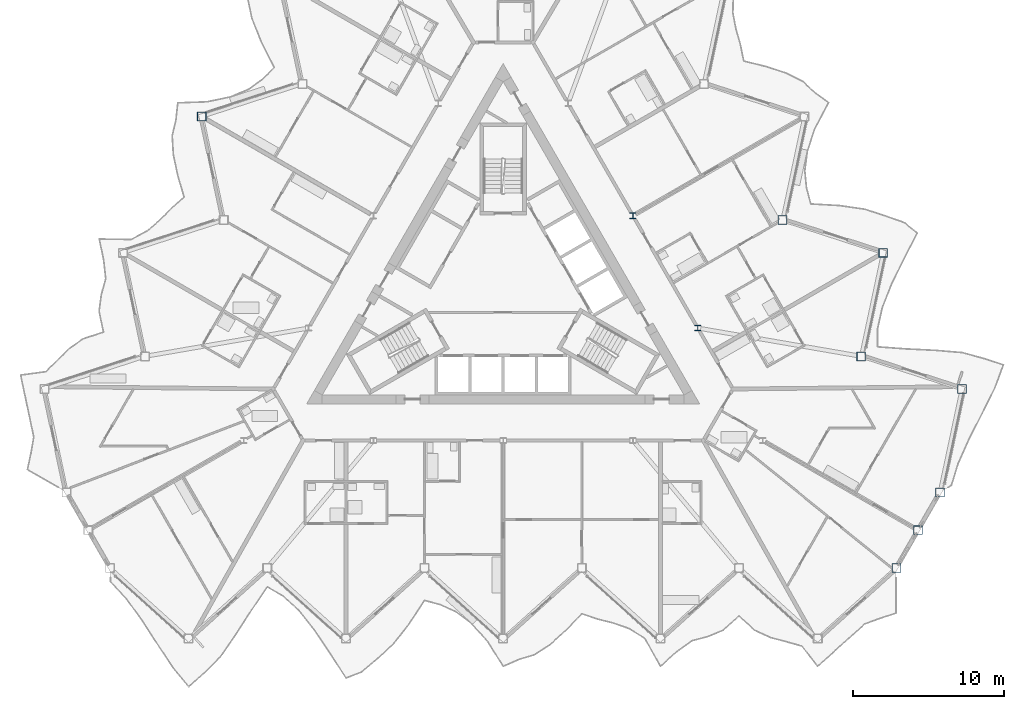
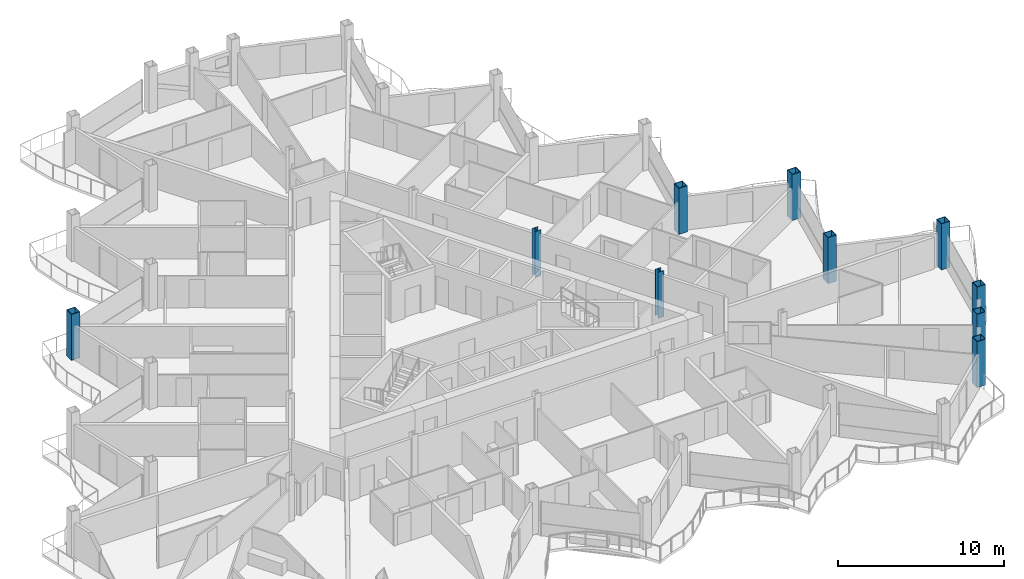
# One storey, part 2 of 27: 10 columns.
"""IFC4 building model written with IfcOpenShell, lengths in metres."""

import ifcopenshell
import ifcopenshell.guid

model = None  # the IFC model being written
_history = None  # IfcOwnerHistory: only IFC2X3 demands one
_inside = {}  # id of a spatial element -> (the spatial element, [elements in it])
_under = {}  # id of a project, library or spatial element -> (it, [spatial elements below it])
_declared = {}  # id of a project -> (the project, [libraries it declares])
_typed = {}  # id of a type object -> (the type object, [elements of that type])
_made_of = {}  # id of a material, layer set ... -> (it, [elements and type objects made of it])


def new_model(schema):
    """Start an empty IFC model of exactly this schema.

    Asked for "IFC4X3", IfcOpenShell would pick the latest addendum, in which some entities
    have other attributes; the version numbers below select the first issue.
    IFC2X3 requires an IfcOwnerHistory on every rooted entity: one is made here for all.
    """
    global model, _history
    if schema == "IFC4X3":
        model = ifcopenshell.file(schema_version=(4, 3, 0, 0))
    else:
        model = ifcopenshell.file(schema=schema)
    _inside.clear()
    _under.clear()
    _declared.clear()
    _typed.clear()
    _made_of.clear()
    _history = None
    if model.schema == "IFC2X3":
        org = make("IfcOrganization", Name="unknown")
        user = make(
            "IfcPersonAndOrganization",
            ThePerson=make("IfcPerson", FamilyName="unknown"),
            TheOrganization=org,
        )
        app = make(
            "IfcApplication",
            ApplicationDeveloper=org,
            Version="unknown",
            ApplicationFullName="unknown",
            ApplicationIdentifier="unknown",
        )
        _history = make(
            "IfcOwnerHistory",
            OwningUser=user,
            OwningApplication=app,
            ChangeAction="ADDED",
            CreationDate=0,
        )
    return model


def make(cls, **values):
    """One entity of the class cls with the attributes given. An attribute that is None is left unset."""
    return model.create_entity(
        cls, **{name: value for name, value in values.items() if value is not None}
    )


def rooted(cls, **values):
    """An entity with a GlobalId (a new one), such as an element, a storey or a relation."""
    return make(cls, GlobalId=ifcopenshell.guid.new(), OwnerHistory=_history, **values)


def si_unit(unit_type, name, prefix=None):
    """IfcSIUnit, for example si_unit("LENGTHUNIT", "METRE", prefix="MILLI")."""
    return make("IfcSIUnit", UnitType=unit_type, Prefix=prefix, Name=name)


def assignment(units):
    """IfcUnitAssignment: the units of a project."""
    return None if units is None else make("IfcUnitAssignment", Units=units)


def point(xyz):
    """IfcCartesianPoint."""
    return None if xyz is None else make("IfcCartesianPoint", Coordinates=xyz)


def direction(xyz):
    """IfcDirection."""
    return None if xyz is None else make("IfcDirection", DirectionRatios=xyz)


def frame(location, z_axis=None, x_axis=None):
    """IfcAxis2Placement3D, a coordinate frame: its origin and axes. An axis left out is left unset."""
    return make(
        "IfcAxis2Placement3D",
        Location=point(location),
        Axis=direction(z_axis),
        RefDirection=direction(x_axis),
    )


def frame_2d(location, x_axis=None):
    """IfcAxis2Placement2D, a coordinate frame in the plane: its origin and x axis."""
    return make(
        "IfcAxis2Placement2D", Location=point(location), RefDirection=direction(x_axis)
    )


def origin():
    """The frame at (0, 0, 0) with its axes left unset."""
    return frame((0.0, 0.0, 0.0))


def origin_2d():
    """The frame at (0, 0) in the plane with its x axis left unset."""
    return frame_2d((0.0, 0.0))


def place(relative_to, where):
    """IfcLocalPlacement: puts the frame where relative to a parent placement (None: the world)."""
    return make(
        "IfcLocalPlacement", PlacementRelTo=relative_to, RelativePlacement=where
    )


def context(
    kind, dimensions, precision=None, world=None, true_north=None, identifier=None
):
    """IfcGeometricRepresentationContext, for example the 3D "Model" context."""
    return make(
        "IfcGeometricRepresentationContext",
        ContextIdentifier=identifier,
        ContextType=kind,
        CoordinateSpaceDimension=dimensions,
        Precision=precision,
        WorldCoordinateSystem=world,
        TrueNorth=true_north,
    )


def subcontext(parent, identifier, kind, view, scale=None):
    """IfcGeometricRepresentationSubContext, for example "Body" below "Model"."""
    return make(
        "IfcGeometricRepresentationSubContext",
        ContextIdentifier=identifier,
        ContextType=kind,
        ParentContext=parent,
        TargetScale=scale,
        TargetView=view,
    )


def project(units=None, contexts=None):
    """IfcProject with its units and contexts."""
    return rooted(
        "IfcProject",
        Name="project",
        RepresentationContexts=contexts,
        UnitsInContext=assignment(units),
    )


def spatial(cls, under=None, at=None, **own):
    """A site, building, storey or space (cls), placed at a placement, below another one or the project."""
    s = rooted(cls, ObjectPlacement=at, **own)
    if under is not None:
        _under.setdefault(under.id(), (under, []))[1].append(s)
    return s


def profile(cls, at=None, kind="AREA", **sizes):
    """A parametric profile (cls). Its sizes go by their IFC names, for example OverallWidth=200.0."""
    return make(cls, ProfileType=kind, Position=at, **sizes)


def hollow_rectangle(**sizes):
    """IfcRectangleHollowProfileDef."""
    return profile("IfcRectangleHollowProfileDef", **sizes)


def i_section(**sizes):
    """IfcIShapeProfileDef."""
    return profile("IfcIShapeProfileDef", **sizes)


def extrude(swept, where, along, depth):
    """IfcExtrudedAreaSolid: the profile swept, set in the frame where, extruded along a direction by depth."""
    return make(
        "IfcExtrudedAreaSolid",
        SweptArea=swept,
        Position=where,
        ExtrudedDirection=direction(along),
        Depth=depth,
    )


def shape(context_of_items, identifier, shape_type, items):
    """IfcShapeRepresentation: the items that make up one representation, for example the "Body"."""
    return make(
        "IfcShapeRepresentation",
        ContextOfItems=context_of_items,
        RepresentationIdentifier=identifier,
        RepresentationType=shape_type,
        Items=items,
    )


def material(Name=None, Category=None):
    """IfcMaterial."""
    return make("IfcMaterial", Name=Name, Category=Category)


def material_profile(
    of_material, cross_section, Name=None, Category=None, Priority=None
):
    """IfcMaterialProfile: a cross section and its material."""
    return make(
        "IfcMaterialProfile",
        Name=Name,
        Material=of_material,
        Profile=cross_section,
        Priority=Priority,
        Category=Category,
    )


def profile_set(profiles, Name=None, composite=None):
    """IfcMaterialProfileSet."""
    return make(
        "IfcMaterialProfileSet",
        Name=Name,
        MaterialProfiles=profiles,
        CompositeProfile=composite,
    )


def made_of(thing, what):
    """Note that an element or type object is made of a material, layer set ...; save() writes the relation."""
    if what is not None:
        _made_of.setdefault(what.id(), (what, []))[1].append(thing)
    return thing


def type_object(cls, material=None, **own):
    """A type object (cls), such as IfcWallType, which elements share."""
    return made_of(rooted(cls, **own), material)


def element(
    cls,
    number,
    at=None,
    inside=None,
    cuts=None,
    type_object=None,
    material=None,
    context=None,
    identifier="Body",
    shape_type=None,
    held_by="IfcProductDefinitionShape",
    body=None,
    shapes=None,
    **own,
):
    """One element of the class cls, such as IfcWall. Its Tag is "e" and its number.

    at: its placement. inside: the storey or other place that contains it. cuts: it is an
    opening in that element (IfcRelVoidsElement). A single representation is given by context,
    identifier, shape_type and body (its items); several are given by shapes. held_by: the class
    of the entity that holds the representations. save() writes the other relations.
    """
    e = rooted(cls, Tag="e%d" % number, ObjectPlacement=at, **own)
    if body is not None:
        shapes = [shape(context, identifier, shape_type, body)]
    if shapes is not None:
        e.Representation = make(held_by, Representations=shapes)
    if inside is not None:
        _inside.setdefault(inside.id(), (inside, []))[1].append(e)
    if cuts is not None:
        rooted(
            "IfcRelVoidsElement", RelatingBuildingElement=cuts, RelatedOpeningElement=e
        )
    if type_object is not None:
        _typed.setdefault(type_object.id(), (type_object, []))[1].append(e)
    return made_of(e, material)


def aggregate(whole, parts):
    """IfcRelAggregates: a whole, such as a stair, and the parts it consists of."""
    return rooted("IfcRelAggregates", RelatingObject=whole, RelatedObjects=parts)


def save(model, path):
    """Write the relations noted so far, then the file.

    IfcRelAggregates (storeys below a building ...), IfcRelContainedInSpatialStructure (elements
    in a storey), IfcRelDefinesByType, IfcRelAssociatesMaterial and IfcRelDeclares: one each for
    every whole, place, type object, material and project.
    """
    for whole, parts in _under.values():
        aggregate(whole, parts)
    for where, things in _inside.values():
        rooted(
            "IfcRelContainedInSpatialStructure",
            RelatedElements=things,
            RelatingStructure=where,
        )
    for kind, things in _typed.values():
        rooted("IfcRelDefinesByType", RelatedObjects=things, RelatingType=kind)
    for what, things in _made_of.values():
        rooted("IfcRelAssociatesMaterial", RelatedObjects=things, RelatingMaterial=what)
    for by, libraries in _declared.values():
        rooted("IfcRelDeclares", RelatingContext=by, RelatedDefinitions=libraries)
    model.write(path)


model = new_model("IFC4")

# Units and contexts
model_context = context("Model", 3, precision=1e-05, world=origin(), true_north=direction((0.0, 1.0)))
body_context = subcontext(model_context, "Body", "Model", "MODEL_VIEW")
ifc_project = project(units=[si_unit("LENGTHUNIT", "METRE"), si_unit("AREAUNIT", "SQUARE_METRE"), si_unit("VOLUMEUNIT", "CUBIC_METRE"), si_unit("PLANEANGLEUNIT", "RADIAN"), si_unit("MASSUNIT", "GRAM", prefix="KILO")], contexts=[model_context])

# Site, building, storey
site_placement = place(None, origin())
site = spatial("IfcSite", under=ifc_project, at=site_placement, CompositionType="ELEMENT")
building_placement = place(site_placement, origin())
building = spatial("IfcBuilding", under=site, at=building_placement, Name="Cormorant Prow Tower", CompositionType="ELEMENT")
storey_placement = place(building_placement, frame((0.0, 0.0, 332.39990234375)))
storey = spatial("IfcBuildingStorey", under=building, at=storey_placement, Name="L74", CompositionType="ELEMENT", Elevation=332.39990234375)

# Columns
ifc_material_1 = material(Name="Structural steel ASTM A572 Gr 50", Category="steel")
ifc_material_profile_1 = material_profile(ifc_material_1, hollow_rectangle(XDim=0.60009765625, YDim=0.60009765625, WallThickness=0.0400390625, at=origin_2d()), Name="Box 600x600x40")
ifc_profile_set_1 = profile_set([ifc_material_profile_1], Name="Structural steel ASTM A572 Gr 50")
column_type_1 = type_object("IfcColumnType", Name="Perimeter box column 600x600x40", PredefinedType="COLUMN", material=ifc_profile_set_1)
for number, where, z_axis, x_axis, name in (
    (1, (25.995361328125, -18.326904296875, 0.0), (0.0, 0.0, 1.0), (1.0, 0.0, 0.0), "Perimeter column C6 at ESE00 L74"),
    (2, (27.432373046875, -15.838134765625, 0.0), (0.0, 0.0, 1.0), (1.0, 0.0, 0.0), "Perimeter column C6 at ESE01 L74"),
    (3, (28.869140625, -13.349365234375, 0.0), (0.0, 0.0, 1.0), (1.0, 0.0, 0.0), "Perimeter column C6 at ENE00 L74"),
    (4, (30.32373046875, -6.506103515625, 0.0), (0.0, 0.0, 1.0), (1.0, 0.0, 0.0), "Perimeter column C6 at ENE01 L74"),
    (5, (23.670166015625, -4.34423828125, 0.0), (0.0, 0.0, 1.0), (1.0, 0.0, 0.0), "Perimeter column C6 at ENE02 L74"),
    (6, (25.124755859375, 2.4990234375, 0.0), (0.0, 0.0, 1.0), (1.0, 0.0, 0.0), "Perimeter column C6 at ENE03 L74"),
    (7, (18.470947265625, 4.660888671875, 0.0), (0.0, 0.0, 1.0), (1.0, 0.0, 0.0), "Perimeter column C6 at ENE04 L74"),
    (8, (-19.925537109375, 11.504150390625, 0.0), (0.0, 0.0, 1.0), (1.0, 0.0, 0.0), "Perimeter column C6 at WNW05 L74"),
):
    element("IfcColumn", number, at=place(storey_placement, frame(where, z_axis=z_axis, x_axis=x_axis)), inside=storey, type_object=column_type_1, Name=name, PredefinedType="COLUMN", context=body_context, shape_type="SweptSolid", body=[
        extrude(hollow_rectangle(XDim=0.60009765625, YDim=0.60009765625, WallThickness=0.0400390625, at=origin_2d()), origin(), (0.0, 0.0, 1.0), 3.400146484375),
    ])
ifc_material_2 = material(Name="Structural steel ASTM A992 Gr 50", Category="steel")
ifc_material_profile_2 = material_profile(ifc_material_2, i_section(OverallWidth=0.3955078125, OverallDepth=0.380615234375, WebThickness=0.018798828125, FlangeThickness=0.0302734375, at=origin_2d()), Name="W14x159")
ifc_profile_set_2 = profile_set([ifc_material_profile_2], Name="Structural steel ASTM A992 Gr 50")
column_type_2 = type_object("IfcColumnType", Name="Ring column W14x159", PredefinedType="COLUMN", material=ifc_profile_set_2)
for number, where, z_axis, x_axis, name in (
    (9, (12.86767578125, -2.476318359375, 0.0), (0.0, 0.0, 1.0), (1.0, 0.0, 0.0), "Ring column 10 L74"),
    (10, (8.578369140625, 4.952880859375, 0.0), (0.0, 0.0, 1.0), (1.0, 0.0, 0.0), "Ring column 11 L74"),
):
    element("IfcColumn", number, at=place(storey_placement, frame(where, z_axis=z_axis, x_axis=x_axis)), inside=storey, type_object=column_type_2, Name=name, PredefinedType="COLUMN", context=body_context, shape_type="SweptSolid", body=[
        extrude(i_section(OverallWidth=0.3955078125, OverallDepth=0.380615234375, WebThickness=0.018798828125, FlangeThickness=0.0302734375, at=origin_2d()), origin(), (0.0, 0.0, 1.0), 3.400146484375),
    ])

save(model, "model.ifc")
